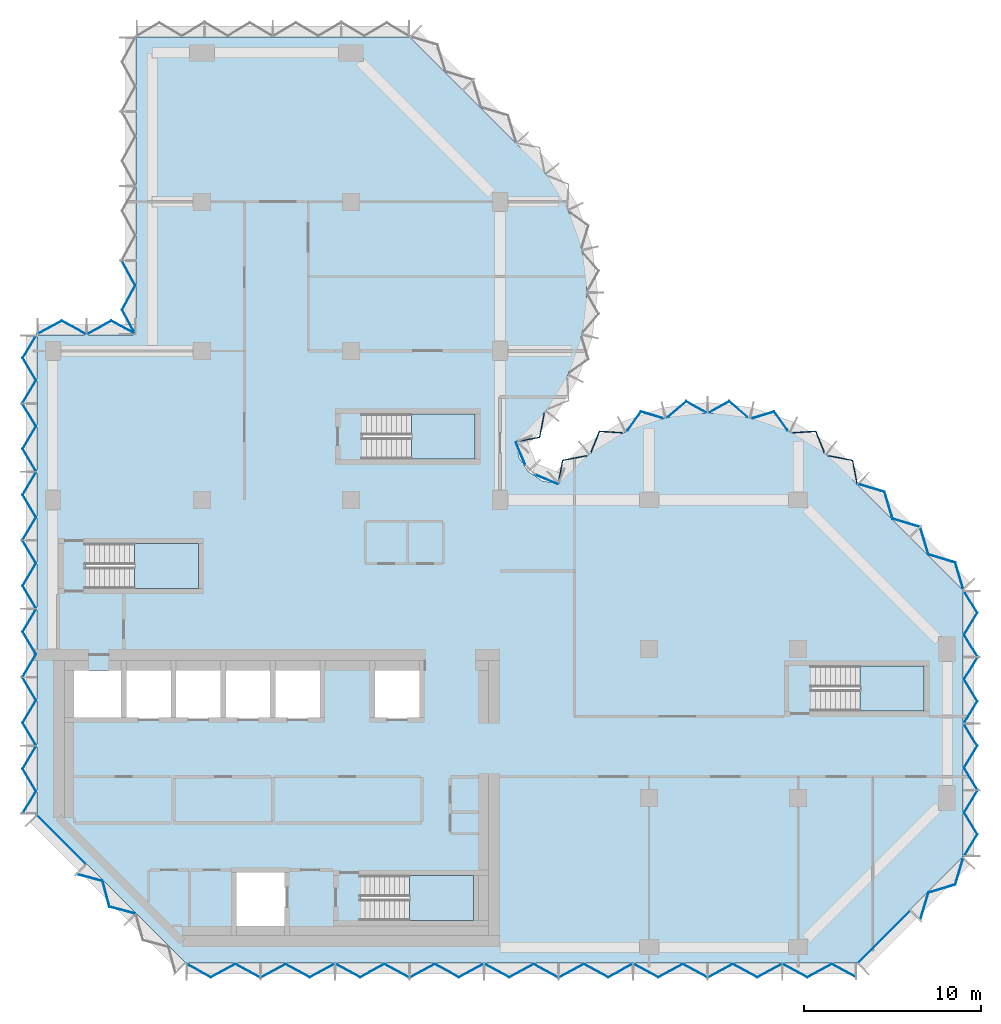
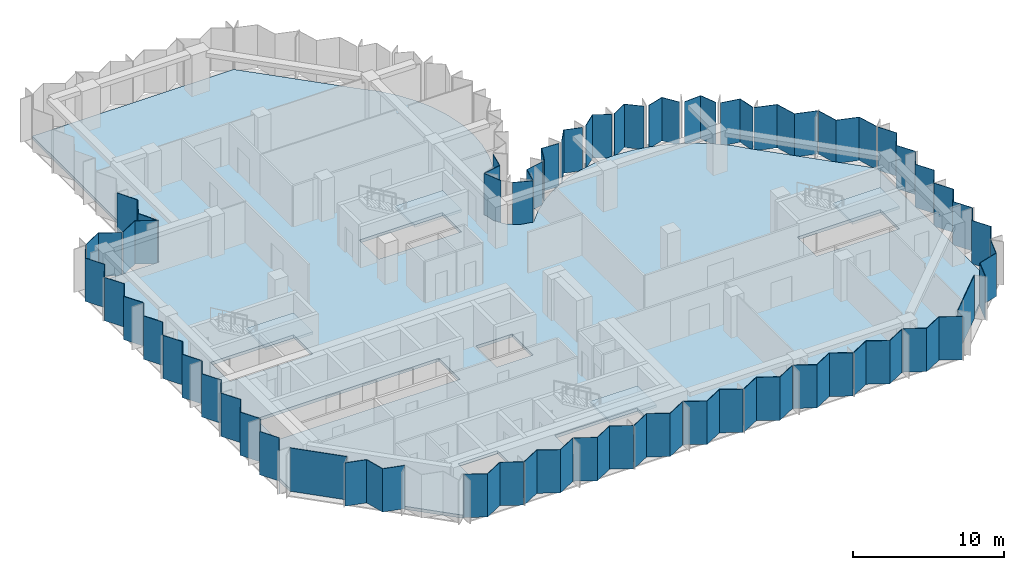
# One storey, part 3 of 9: 40 plates, 5 slabs, 15 elements without a shape of their own.
"""IFC4 building model written with IfcOpenShell, lengths in metres."""

from ifc_helpers import new_model, si_unit, direction, frame, origin, place, context, subcontext, project, spatial, polyline, outline, extrude, material, layer, layer_set, type_object, element, aggregate, save


model = new_model("IFC4")

# Units and contexts
model_context = context("Model", 3, precision=1e-05, world=origin(), true_north=direction((0.0, 1.0)))
body_context = subcontext(model_context, "Body", "Model", "MODEL_VIEW")
ifc_project = project(units=[si_unit("LENGTHUNIT", "METRE"), si_unit("AREAUNIT", "SQUARE_METRE"), si_unit("VOLUMEUNIT", "CUBIC_METRE"), si_unit("PLANEANGLEUNIT", "RADIAN"), si_unit("MASSUNIT", "GRAM", prefix="KILO")], contexts=[model_context])

# Site, building, storey
site_placement = place(None, origin())
site = spatial("IfcSite", under=ifc_project, at=site_placement, CompositionType="ELEMENT")
building_placement = place(site_placement, origin())
building = spatial("IfcBuilding", under=site, at=building_placement, Name="Brevane Broadcast Tower", CompositionType="ELEMENT")
storey_placement = place(building_placement, frame((0.0, 0.0, 188.39990234375)))
storey = spatial("IfcBuildingStorey", under=building, at=storey_placement, Name="L47", CompositionType="ELEMENT", Elevation=188.39990234375)

# Curtain wall, plates
ifc_material_1 = material(Name="Aluminium 6063-T6 bronze anodised", Category="aluminium")
curtain_wall_type = type_object("IfcCurtainWallType", Name="CW-1 curtain wall", PredefinedType="NOTDEFINED", material=ifc_material_1)
curtain_wall_1_placement = place(storey_placement, origin())
curtain_wall_1 = element("IfcCurtainWall", 1, at=curtain_wall_1_placement, inside=storey, type_object=curtain_wall_type, Name="CW-1 typical tilted unit L47 south face", PredefinedType="NOTDEFINED")
ifc_material_2 = material(Name="Laminated glass bronze-tinted", Category="glass")
ifc_layer_1 = layer(ifc_material_2, 0.0400390625)
ifc_layer_set_1 = layer_set([ifc_layer_1], Name="CW tall glass panel 40")
plate_type = type_object("IfcPlateType", Name="CW tall glass panel 40", PredefinedType="CURTAIN_PANEL", material=ifc_layer_set_1)
plate_1_placement = place(storey_placement, frame((0.0, 0.0, -0.14990234375)))
plate_1 = element("IfcPlate", 2, at=plate_1_placement, type_object=plate_type, Name="CW-1 glass panel", PredefinedType="CURTAIN_PANEL", context=body_context, shape_type="SweptSolid", body=[
    extrude(outline(polyline([(7.534912109375, -0.92724609375), (7.534912109375, -0.97265625), (8.91162109375, -1.717041015625), (10.288330078125, -0.97265625), (11.6650390625, -1.717041015625), (11.6650390625, -1.671630859375), (10.288330078125, -0.92724609375), (8.91162109375, -1.671630859375), (7.534912109375, -0.92724609375)])), origin(), (0.0, 0.0, 1.0), 3.5),
])
plate_2_placement = place(storey_placement, frame((0.0, 0.0, -0.14990234375)))
plate_2 = element("IfcPlate", 3, at=plate_2_placement, type_object=plate_type, Name="CW-1 glass panel", PredefinedType="CURTAIN_PANEL", context=body_context, shape_type="SweptSolid", body=[
    extrude(outline(polyline([(11.735107421875, -1.671630859375), (11.735107421875, -1.717041015625), (13.11181640625, -0.97265625), (14.48828125, -1.717041015625), (15.864990234375, -0.97265625), (15.864990234375, -0.92724609375), (14.48828125, -1.671630859375), (13.11181640625, -0.92724609375), (11.735107421875, -1.671630859375)])), origin(), (0.0, 0.0, 1.0), 3.5),
])
plate_3_placement = place(storey_placement, frame((0.0, 0.0, -0.14990234375)))
plate_3 = element("IfcPlate", 4, at=plate_3_placement, type_object=plate_type, Name="CW-1 glass panel", PredefinedType="CURTAIN_PANEL", context=body_context, shape_type="SweptSolid", body=[
    extrude(outline(polyline([(15.93505859375, -0.92724609375), (15.93505859375, -0.97265625), (17.311767578125, -1.717041015625), (18.688232421875, -0.97265625), (20.06494140625, -1.717041015625), (20.06494140625, -1.671630859375), (18.688232421875, -0.92724609375), (17.311767578125, -1.671630859375), (15.93505859375, -0.92724609375)])), origin(), (0.0, 0.0, 1.0), 3.5),
])
plate_4_placement = place(storey_placement, frame((0.0, 0.0, -0.14990234375)))
plate_4 = element("IfcPlate", 5, at=plate_4_placement, type_object=plate_type, Name="CW-1 glass panel", PredefinedType="CURTAIN_PANEL", context=body_context, shape_type="SweptSolid", body=[
    extrude(outline(polyline([(20.135009765625, -1.671630859375), (20.135009765625, -1.717041015625), (21.51171875, -0.97265625), (22.88818359375, -1.717041015625), (24.264892578125, -0.97265625), (24.264892578125, -0.92724609375), (22.88818359375, -1.671630859375), (21.51171875, -0.92724609375), (20.135009765625, -1.671630859375)])), origin(), (0.0, 0.0, 1.0), 3.5),
])
plate_5_placement = place(storey_placement, frame((0.0, 0.0, -0.14990234375)))
plate_5 = element("IfcPlate", 6, at=plate_5_placement, type_object=plate_type, Name="CW-1 glass panel", PredefinedType="CURTAIN_PANEL", context=body_context, shape_type="SweptSolid", body=[
    extrude(outline(polyline([(24.3349609375, -0.92724609375), (24.3349609375, -0.97265625), (25.711669921875, -1.717041015625), (27.08837890625, -0.97265625), (28.465087890625, -1.717041015625), (28.465087890625, -1.671630859375), (27.08837890625, -0.92724609375), (25.711669921875, -1.671630859375), (24.3349609375, -0.92724609375)])), origin(), (0.0, 0.0, 1.0), 3.5),
])
plate_6_placement = place(storey_placement, frame((0.0, 0.0, -0.14990234375)))
plate_6 = element("IfcPlate", 7, at=plate_6_placement, type_object=plate_type, Name="CW-1 glass panel", PredefinedType="CURTAIN_PANEL", context=body_context, shape_type="SweptSolid", body=[
    extrude(outline(polyline([(28.534912109375, -1.671630859375), (28.534912109375, -1.717041015625), (29.91162109375, -0.97265625), (31.288330078125, -1.717041015625), (32.6650390625, -0.97265625), (32.6650390625, -0.92724609375), (31.288330078125, -1.671630859375), (29.91162109375, -0.92724609375), (28.534912109375, -1.671630859375)])), origin(), (0.0, 0.0, 1.0), 3.5),
])
plate_7_placement = place(storey_placement, frame((0.0, 0.0, -0.14990234375)))
plate_7 = element("IfcPlate", 8, at=plate_7_placement, type_object=plate_type, Name="CW-1 glass panel", PredefinedType="CURTAIN_PANEL", context=body_context, shape_type="SweptSolid", body=[
    extrude(outline(polyline([(32.735107421875, -0.92724609375), (32.735107421875, -0.97265625), (34.11181640625, -1.717041015625), (35.48828125, -0.97265625), (36.864990234375, -1.717041015625), (36.864990234375, -1.671630859375), (35.48828125, -0.92724609375), (34.11181640625, -1.671630859375), (32.735107421875, -0.92724609375)])), origin(), (0.0, 0.0, 1.0), 3.5),
])
plate_8_placement = place(storey_placement, frame((0.0, 0.0, -0.14990234375)))
plate_8 = element("IfcPlate", 9, at=plate_8_placement, type_object=plate_type, Name="CW-1 glass panel", PredefinedType="CURTAIN_PANEL", context=body_context, shape_type="SweptSolid", body=[
    extrude(outline(polyline([(36.93505859375, -1.671630859375), (36.93505859375, -1.717041015625), (38.311767578125, -0.97265625), (39.688232421875, -1.717041015625), (41.06494140625, -0.97265625), (41.06494140625, -0.92724609375), (39.688232421875, -1.671630859375), (38.311767578125, -0.92724609375), (36.93505859375, -1.671630859375)])), origin(), (0.0, 0.0, 1.0), 3.5),
])
plate_9_placement = place(storey_placement, frame((0.0, 0.0, -0.14990234375)))
plate_9 = element("IfcPlate", 10, at=plate_9_placement, type_object=plate_type, Name="CW-1 glass panel", PredefinedType="CURTAIN_PANEL", context=body_context, shape_type="SweptSolid", body=[
    extrude(outline(polyline([(41.135009765625, -0.92724609375), (41.135009765625, -0.97265625), (42.51171875, -1.717041015625), (43.88818359375, -0.97265625), (45.264892578125, -1.717041015625), (45.264892578125, -1.671630859375), (43.88818359375, -0.92724609375), (42.51171875, -1.671630859375), (41.135009765625, -0.92724609375)])), origin(), (0.0, 0.0, 1.0), 3.5),
])
aggregate(curtain_wall_1, [plate_1, plate_2, plate_3, plate_4, plate_5, plate_6, plate_7, plate_8, plate_9])

curtain_wall_2_placement = place(storey_placement, origin())
curtain_wall_2 = element("IfcCurtainWall", 11, at=curtain_wall_2_placement, inside=storey, type_object=curtain_wall_type, Name="CW-1 typical tilted unit L47 south-east chamfer", PredefinedType="NOTDEFINED")
plate_10_placement = place(storey_placement, frame((0.0, 0.0, -0.14990234375)))
plate_10 = element("IfcPlate", 12, at=plate_10_placement, type_object=plate_type, Name="CW-1 glass panel", PredefinedType="CURTAIN_PANEL", context=body_context, shape_type="SweptSolid", body=[
    extrude(outline(polyline([(45.345947265625, -0.896484375), (48.29638671875, 2.053955078125), (48.32470703125, 2.02587890625), (45.374267578125, -0.9248046875), (45.345947265625, -0.896484375)])), origin(), (0.0, 0.0, 1.0), 3.5),
])
plate_11_placement = place(storey_placement, frame((0.0, 0.0, -0.14990234375)))
plate_11 = element("IfcPlate", 13, at=plate_11_placement, type_object=plate_type, Name="CW-1 glass panel", PredefinedType="CURTAIN_PANEL", context=body_context, shape_type="SweptSolid", body=[
    extrude(outline(polyline([(48.870361328125, 1.5791015625), (48.902587890625, 1.547119140625), (49.359619140625, 3.056884765625), (50.869384765625, 3.513916015625), (51.32666015625, 5.02392578125), (51.294677734375, 5.055908203125), (50.83740234375, 3.546142578125), (49.32763671875, 3.0888671875), (48.870361328125, 1.5791015625)])), origin(), (0.0, 0.0, 1.0), 3.5),
])
aggregate(curtain_wall_2, [plate_10, plate_11])

curtain_wall_3_placement = place(storey_placement, origin())
curtain_wall_3 = element("IfcCurtainWall", 14, at=curtain_wall_3_placement, inside=storey, type_object=curtain_wall_type, Name="CW-1 typical tilted unit L47 east end", PredefinedType="NOTDEFINED")
plate_12_placement = place(storey_placement, frame((0.0, 0.0, -0.14990234375)))
plate_12 = element("IfcPlate", 15, at=plate_12_placement, type_object=plate_type, Name="CW-1 glass panel", PredefinedType="CURTAIN_PANEL", context=body_context, shape_type="SweptSolid", body=[
    extrude(outline(polyline([(51.32666015625, 5.135009765625), (51.373291015625, 5.135009765625), (52.117919921875, 6.36181640625), (51.373291015625, 7.58837890625), (52.117919921875, 8.81494140625), (52.071044921875, 8.81494140625), (51.32666015625, 7.58837890625), (52.071044921875, 6.36181640625), (51.32666015625, 5.135009765625)])), origin(), (0.0, 0.0, 1.0), 3.5),
])
plate_13_placement = place(storey_placement, frame((0.0, 0.0, -0.14990234375)))
plate_13 = element("IfcPlate", 16, at=plate_13_placement, type_object=plate_type, Name="CW-1 glass panel", PredefinedType="CURTAIN_PANEL", context=body_context, shape_type="SweptSolid", body=[
    extrude(outline(polyline([(52.071044921875, 8.885009765625), (52.117919921875, 8.885009765625), (51.373291015625, 10.11181640625), (52.117919921875, 11.33837890625), (51.373291015625, 12.56494140625), (51.32666015625, 12.56494140625), (52.071044921875, 11.33837890625), (51.32666015625, 10.11181640625), (52.071044921875, 8.885009765625)])), origin(), (0.0, 0.0, 1.0), 3.5),
])
plate_14_placement = place(storey_placement, frame((0.0, 0.0, -0.14990234375)))
plate_14 = element("IfcPlate", 17, at=plate_14_placement, type_object=plate_type, Name="CW-1 glass panel", PredefinedType="CURTAIN_PANEL", context=body_context, shape_type="SweptSolid", body=[
    extrude(outline(polyline([(51.32666015625, 12.635009765625), (51.373291015625, 12.635009765625), (52.117919921875, 13.86181640625), (51.373291015625, 15.08837890625), (52.117919921875, 16.31494140625), (52.071044921875, 16.31494140625), (51.32666015625, 15.08837890625), (52.071044921875, 13.86181640625), (51.32666015625, 12.635009765625)])), origin(), (0.0, 0.0, 1.0), 3.5),
])
plate_15_placement = place(storey_placement, frame((0.0, 0.0, -0.14990234375)))
plate_15 = element("IfcPlate", 18, at=plate_15_placement, type_object=plate_type, Name="CW-1 glass panel", PredefinedType="CURTAIN_PANEL", context=body_context, shape_type="SweptSolid", body=[
    extrude(outline(polyline([(52.071044921875, 16.385009765625), (52.117919921875, 16.385009765625), (51.373291015625, 17.61181640625), (52.117919921875, 18.83837890625), (51.373291015625, 20.06494140625), (51.32666015625, 20.06494140625), (52.071044921875, 18.83837890625), (51.32666015625, 17.61181640625), (52.071044921875, 16.385009765625)])), origin(), (0.0, 0.0, 1.0), 3.5),
])
aggregate(curtain_wall_3, [plate_12, plate_13, plate_14, plate_15])

curtain_wall_4_placement = place(storey_placement, origin())
curtain_wall_4 = element("IfcCurtainWall", 19, at=curtain_wall_4_placement, inside=storey, type_object=curtain_wall_type, Name="CW-1 typical tilted unit L47 north-east chamfer", PredefinedType="NOTDEFINED")
plate_16_placement = place(storey_placement, frame((0.0, 0.0, -0.14990234375)))
plate_16 = element("IfcPlate", 20, at=plate_16_placement, type_object=plate_type, Name="CW-1 glass panel", PredefinedType="CURTAIN_PANEL", context=body_context, shape_type="SweptSolid", body=[
    extrude(outline(polyline([(51.294677734375, 20.14404296875), (51.32666015625, 20.176025390625), (50.869384765625, 21.68603515625), (49.359619140625, 22.14306640625), (48.902587890625, 23.653076171875), (48.870361328125, 23.620849609375), (49.32763671875, 22.111083984375), (50.83740234375, 21.65380859375), (51.294677734375, 20.14404296875)])), origin(), (0.0, 0.0, 1.0), 3.5),
])
plate_17_placement = place(storey_placement, frame((0.0, 0.0, -0.14990234375)))
plate_17 = element("IfcPlate", 21, at=plate_17_placement, type_object=plate_type, Name="CW-1 glass panel", PredefinedType="CURTAIN_PANEL", context=body_context, shape_type="SweptSolid", body=[
    extrude(outline(polyline([(48.82080078125, 23.67041015625), (48.85302734375, 23.702392578125), (47.343017578125, 24.15966796875), (46.885986328125, 25.66943359375), (45.376220703125, 26.126708984375), (45.343994140625, 26.094482421875), (46.85400390625, 25.637451171875), (47.31103515625, 24.127685546875), (48.82080078125, 23.67041015625)])), origin(), (0.0, 0.0, 1.0), 3.5),
])
aggregate(curtain_wall_4, [plate_16, plate_17])

curtain_wall_5_placement = place(storey_placement, origin())
curtain_wall_5 = element("IfcCurtainWall", 22, at=curtain_wall_5_placement, inside=storey, type_object=curtain_wall_type, Name="CW-1 typical tilted unit L47 east bow", PredefinedType="NOTDEFINED")
plate_18_placement = place(storey_placement, frame((0.0, 0.0, -0.14990234375)))
plate_18 = element("IfcPlate", 23, at=plate_18_placement, type_object=plate_type, Name="CW-1 glass panel", PredefinedType="CURTAIN_PANEL", context=body_context, shape_type="SweptSolid", body=[
    extrude(outline(polyline([(45.2939453125, 26.14404296875), (45.327880859375, 26.17919921875), (45.086181640625, 27.447265625), (43.738525390625, 27.71142578125), (43.7109375, 27.67626953125), (45.052001953125, 27.4130859375), (45.2939453125, 26.14404296875)])), origin(), (0.0, 0.0, 1.0), 3.5),
])
plate_19_placement = place(storey_placement, frame((0.0, 0.0, -0.14990234375)))
plate_19 = element("IfcPlate", 24, at=plate_19_placement, type_object=plate_type, Name="CW-1 glass panel", PredefinedType="CURTAIN_PANEL", context=body_context, shape_type="SweptSolid", body=[
    extrude(outline(polyline([(43.45703125, 27.8759765625), (43.4853515625, 27.912109375), (43.00390625, 29.089111328125), (41.710693359375, 29.006591796875), (41.69091796875, 28.96533203125), (42.977783203125, 29.04736328125), (43.45703125, 27.8759765625)])), origin(), (0.0, 0.0, 1.0), 3.5),
])
plate_20_placement = place(storey_placement, frame((0.0, 0.0, -0.14990234375)))
plate_20 = element("IfcPlate", 25, at=plate_20_placement, type_object=plate_type, Name="CW-1 glass panel", PredefinedType="CURTAIN_PANEL", context=body_context, shape_type="SweptSolid", body=[
    extrude(outline(polyline([(41.3994140625, 29.104248046875), (41.4189453125, 29.1455078125), (40.667724609375, 30.20166015625), (39.45068359375, 29.83349609375), (39.440185546875, 29.78857421875), (40.65185546875, 30.155029296875), (41.3994140625, 29.104248046875)])), origin(), (0.0, 0.0, 1.0), 3.5),
])
plate_21_placement = place(storey_placement, frame((0.0, 0.0, -0.14990234375)))
plate_21 = element("IfcPlate", 26, at=plate_21_placement, type_object=plate_type, Name="CW-1 glass panel", PredefinedType="CURTAIN_PANEL", context=body_context, shape_type="SweptSolid", body=[
    extrude(outline(polyline([(39.125, 29.859619140625), (39.13525390625, 29.903564453125), (38.116943359375, 30.779296875), (37.008056640625, 30.15869140625), (37.008056640625, 30.11279296875), (38.112060546875, 30.730712890625), (39.125, 29.859619140625)])), origin(), (0.0, 0.0, 1.0), 3.5),
])
plate_22_placement = place(storey_placement, frame((0.0, 0.0, -0.14990234375)))
plate_22 = element("IfcPlate", 27, at=plate_22_placement, type_object=plate_type, Name="CW-1 glass panel", PredefinedType="CURTAIN_PANEL", context=body_context, shape_type="SweptSolid", body=[
    extrude(outline(polyline([(36.7919921875, 30.11279296875), (36.7919921875, 30.15869140625), (35.68310546875, 30.779296875), (34.664794921875, 29.903564453125), (34.6748046875, 29.859619140625), (35.68798828125, 30.730712890625), (36.7919921875, 30.11279296875)])), origin(), (0.0, 0.0, 1.0), 3.5),
])
plate_23_placement = place(storey_placement, frame((0.0, 0.0, -0.14990234375)))
plate_23 = element("IfcPlate", 28, at=plate_23_placement, type_object=plate_type, Name="CW-1 glass panel", PredefinedType="CURTAIN_PANEL", context=body_context, shape_type="SweptSolid", body=[
    extrude(outline(polyline([(34.359619140625, 29.78857421875), (34.349365234375, 29.83349609375), (33.132080078125, 30.20166015625), (32.381103515625, 29.1455078125), (32.400634765625, 29.104248046875), (33.148193359375, 30.155029296875), (34.359619140625, 29.78857421875)])), origin(), (0.0, 0.0, 1.0), 3.5),
])
plate_24_placement = place(storey_placement, frame((0.0, 0.0, -0.14990234375)))
plate_24 = element("IfcPlate", 29, at=plate_24_placement, type_object=plate_type, Name="CW-1 glass panel", PredefinedType="CURTAIN_PANEL", context=body_context, shape_type="SweptSolid", body=[
    extrude(outline(polyline([(32.10888671875, 28.96533203125), (32.08935546875, 29.006591796875), (30.7958984375, 29.089111328125), (30.314697265625, 27.912109375), (30.343017578125, 27.8759765625), (30.822265625, 29.04736328125), (32.10888671875, 28.96533203125)])), origin(), (0.0, 0.0, 1.0), 3.5),
])
plate_25_placement = place(storey_placement, frame((0.0, 0.0, -0.14990234375)))
plate_25 = element("IfcPlate", 30, at=plate_25_placement, type_object=plate_type, Name="CW-1 glass panel", PredefinedType="CURTAIN_PANEL", context=body_context, shape_type="SweptSolid", body=[
    extrude(outline(polyline([(30.089111328125, 27.67626953125), (30.0615234375, 27.71142578125), (28.7138671875, 27.447265625), (28.471923828125, 26.17919921875), (28.506103515625, 26.14404296875), (28.748046875, 27.4130859375), (30.089111328125, 27.67626953125)])), origin(), (0.0, 0.0, 1.0), 3.5),
])
aggregate(curtain_wall_5, [plate_18, plate_19, plate_20, plate_21, plate_22, plate_23, plate_24, plate_25])

curtain_wall_6_placement = place(storey_placement, origin())
curtain_wall_6 = element("IfcCurtainWall", 31, at=curtain_wall_6_placement, inside=storey, type_object=curtain_wall_type, Name="CW-1 typical tilted unit L47 inner corner", PredefinedType="NOTDEFINED")
plate_26_placement = place(storey_placement, frame((0.0, 0.0, -0.14990234375)))
plate_26 = element("IfcPlate", 32, at=plate_26_placement, type_object=plate_type, Name="CW-1 glass panel", PredefinedType="CURTAIN_PANEL", context=body_context, shape_type="SweptSolid", body=[
    extrude(outline(polyline([(28.45166015625, 26.07470703125), (28.466796875, 26.111572265625), (27.2021484375, 26.635498046875), (27.17138671875, 26.60498046875), (28.45166015625, 26.07470703125)])), origin(), (0.0, 0.0, 1.0), 3.5),
])
plate_27_placement = place(storey_placement, frame((0.0, 0.0, -0.14990234375)))
plate_27 = element("IfcPlate", 33, at=plate_27_placement, type_object=plate_type, Name="CW-1 glass panel", PredefinedType="CURTAIN_PANEL", context=body_context, shape_type="SweptSolid", body=[
    extrude(outline(polyline([(26.60498046875, 27.17138671875), (26.635498046875, 27.2021484375), (26.111572265625, 28.466796875), (26.07470703125, 28.45166015625), (26.60498046875, 27.17138671875)])), origin(), (0.0, 0.0, 1.0), 3.5),
])
aggregate(curtain_wall_6, [plate_26, plate_27])

# Curtain wall, plate
curtain_wall_7_placement = place(storey_placement, origin())
curtain_wall_7 = element("IfcCurtainWall", 34, at=curtain_wall_7_placement, inside=storey, type_object=curtain_wall_type, Name="CW-1 typical tilted unit L47 north bow", PredefinedType="NOTDEFINED")
plate_28_placement = place(storey_placement, frame((0.0, 0.0, -0.14990234375)))
plate_28 = element("IfcPlate", 35, at=plate_28_placement, type_object=plate_type, Name="CW-1 glass panel", PredefinedType="CURTAIN_PANEL", context=body_context, shape_type="SweptSolid", body=[
    extrude(outline(polyline([(26.14404296875, 28.506103515625), (26.17919921875, 28.471923828125), (27.447265625, 28.7138671875), (27.71142578125, 30.0615234375), (27.67626953125, 30.089111328125), (27.4130859375, 28.748046875), (26.14404296875, 28.506103515625)])), origin(), (0.0, 0.0, 1.0), 3.5),
])
aggregate(curtain_wall_7, [plate_28])

curtain_wall_8_placement = place(storey_placement, origin())
curtain_wall_8 = element("IfcCurtainWall", 36, at=curtain_wall_8_placement, inside=storey, type_object=curtain_wall_type, Name="CW-1 typical tilted unit L47 north wing west face, lower block", PredefinedType="NOTDEFINED")
plate_29_placement = place(storey_placement, frame((0.0, 0.0, -0.14990234375)))
plate_29 = element("IfcPlate", 37, at=plate_29_placement, type_object=plate_type, Name="CW-1 glass panel", PredefinedType="CURTAIN_PANEL", context=body_context, shape_type="SweptSolid", body=[
    extrude(outline(polyline([(3.92822265625, 38.6650390625), (3.8828125, 38.6650390625), (4.627197265625, 37.288330078125), (3.8828125, 35.91162109375), (4.627197265625, 34.534912109375), (4.672607421875, 34.534912109375), (3.92822265625, 35.91162109375), (4.672607421875, 37.288330078125), (3.92822265625, 38.6650390625)])), origin(), (0.0, 0.0, 1.0), 3.5),
])
aggregate(curtain_wall_8, [plate_29])

# Curtain wall, plates
curtain_wall_9_placement = place(storey_placement, origin())
curtain_wall_9 = element("IfcCurtainWall", 38, at=curtain_wall_9_placement, inside=storey, type_object=curtain_wall_type, Name="CW-1 typical tilted unit L47 north wing west return, lower block", PredefinedType="NOTDEFINED")
plate_30_placement = place(storey_placement, frame((0.0, 0.0, -0.14990234375)))
plate_30 = element("IfcPlate", 39, at=plate_30_placement, type_object=plate_type, Name="CW-1 glass panel", PredefinedType="CURTAIN_PANEL", context=body_context, shape_type="SweptSolid", body=[
    extrude(outline(polyline([(4.6650390625, 34.527099609375), (4.6650390625, 34.57275390625), (3.300048828125, 35.317138671875), (1.93505859375, 34.57275390625), (1.93505859375, 34.527099609375), (3.300048828125, 35.271484375), (4.6650390625, 34.527099609375)])), origin(), (0.0, 0.0, 1.0), 3.5),
])
plate_31_placement = place(storey_placement, frame((0.0, 0.0, -0.14990234375)))
plate_31 = element("IfcPlate", 40, at=plate_31_placement, type_object=plate_type, Name="CW-1 glass panel", PredefinedType="CURTAIN_PANEL", context=body_context, shape_type="SweptSolid", body=[
    extrude(outline(polyline([(1.864990234375, 34.527099609375), (1.864990234375, 34.57275390625), (0.5, 35.317138671875), (-0.864990234375, 34.57275390625), (-0.864990234375, 34.527099609375), (0.5, 35.271484375), (1.864990234375, 34.527099609375)])), origin(), (0.0, 0.0, 1.0), 3.5),
])
aggregate(curtain_wall_9, [plate_30, plate_31])

curtain_wall_10_placement = place(storey_placement, origin())
curtain_wall_10 = element("IfcCurtainWall", 41, at=curtain_wall_10_placement, inside=storey, type_object=curtain_wall_type, Name="CW-1 typical tilted unit L47 west face", PredefinedType="NOTDEFINED")
plate_32_placement = place(storey_placement, frame((0.0, 0.0, -0.14990234375)))
plate_32 = element("IfcPlate", 42, at=plate_32_placement, type_object=plate_type, Name="CW-1 glass panel", PredefinedType="CURTAIN_PANEL", context=body_context, shape_type="SweptSolid", body=[
    extrude(outline(polyline([(-0.9267578125, 34.465087890625), (-0.97314453125, 34.465087890625), (-1.717529296875, 33.20263671875), (-0.97314453125, 31.940185546875), (-1.717529296875, 30.677978515625), (-1.671142578125, 30.677978515625), (-0.9267578125, 31.940185546875), (-1.671142578125, 33.20263671875), (-0.9267578125, 34.465087890625)])), origin(), (0.0, 0.0, 1.0), 3.5),
])
plate_33_placement = place(storey_placement, frame((0.0, 0.0, -0.14990234375)))
plate_33 = element("IfcPlate", 43, at=plate_33_placement, type_object=plate_type, Name="CW-1 glass panel", PredefinedType="CURTAIN_PANEL", context=body_context, shape_type="SweptSolid", body=[
    extrude(outline(polyline([(-1.671142578125, 30.60791015625), (-1.717529296875, 30.60791015625), (-0.97314453125, 29.345458984375), (-1.717529296875, 28.0830078125), (-0.97314453125, 26.82080078125), (-0.9267578125, 26.82080078125), (-1.671142578125, 28.0830078125), (-0.9267578125, 29.345458984375), (-1.671142578125, 30.60791015625)])), origin(), (0.0, 0.0, 1.0), 3.5),
])
plate_34_placement = place(storey_placement, frame((0.0, 0.0, -0.14990234375)))
plate_34 = element("IfcPlate", 44, at=plate_34_placement, type_object=plate_type, Name="CW-1 glass panel", PredefinedType="CURTAIN_PANEL", context=body_context, shape_type="SweptSolid", body=[
    extrude(outline(polyline([(-0.9267578125, 26.750732421875), (-0.97314453125, 26.750732421875), (-1.717529296875, 25.48828125), (-0.97314453125, 24.22607421875), (-1.717529296875, 22.963623046875), (-1.671142578125, 22.963623046875), (-0.9267578125, 24.22607421875), (-1.671142578125, 25.48828125), (-0.9267578125, 26.750732421875)])), origin(), (0.0, 0.0, 1.0), 3.5),
])
plate_35_placement = place(storey_placement, frame((0.0, 0.0, -0.14990234375)))
plate_35 = element("IfcPlate", 45, at=plate_35_placement, type_object=plate_type, Name="CW-1 glass panel", PredefinedType="CURTAIN_PANEL", context=body_context, shape_type="SweptSolid", body=[
    extrude(outline(polyline([(-1.671142578125, 22.8935546875), (-1.717529296875, 22.8935546875), (-0.97314453125, 21.631103515625), (-1.717529296875, 20.368896484375), (-0.97314453125, 19.1064453125), (-0.9267578125, 19.1064453125), (-1.671142578125, 20.368896484375), (-0.9267578125, 21.631103515625), (-1.671142578125, 22.8935546875)])), origin(), (0.0, 0.0, 1.0), 3.5),
])
plate_36_placement = place(storey_placement, frame((0.0, 0.0, -0.14990234375)))
plate_36 = element("IfcPlate", 46, at=plate_36_placement, type_object=plate_type, Name="CW-1 glass panel", PredefinedType="CURTAIN_PANEL", context=body_context, shape_type="SweptSolid", body=[
    extrude(outline(polyline([(-0.9267578125, 19.036376953125), (-0.97314453125, 19.036376953125), (-1.717529296875, 17.77392578125), (-0.97314453125, 16.51171875), (-1.717529296875, 15.249267578125), (-1.671142578125, 15.249267578125), (-0.9267578125, 16.51171875), (-1.671142578125, 17.77392578125), (-0.9267578125, 19.036376953125)])), origin(), (0.0, 0.0, 1.0), 3.5),
])
plate_37_placement = place(storey_placement, frame((0.0, 0.0, -0.14990234375)))
plate_37 = element("IfcPlate", 47, at=plate_37_placement, type_object=plate_type, Name="CW-1 glass panel", PredefinedType="CURTAIN_PANEL", context=body_context, shape_type="SweptSolid", body=[
    extrude(outline(polyline([(-1.671142578125, 15.17919921875), (-1.717529296875, 15.17919921875), (-0.97314453125, 13.9169921875), (-1.717529296875, 12.654541015625), (-0.97314453125, 11.39208984375), (-0.9267578125, 11.39208984375), (-1.671142578125, 12.654541015625), (-0.9267578125, 13.9169921875), (-1.671142578125, 15.17919921875)])), origin(), (0.0, 0.0, 1.0), 3.5),
])
plate_38_placement = place(storey_placement, frame((0.0, 0.0, -0.14990234375)))
plate_38 = element("IfcPlate", 48, at=plate_38_placement, type_object=plate_type, Name="CW-1 glass panel", PredefinedType="CURTAIN_PANEL", context=body_context, shape_type="SweptSolid", body=[
    extrude(outline(polyline([(-0.9267578125, 11.322021484375), (-0.97314453125, 11.322021484375), (-1.717529296875, 10.059814453125), (-0.97314453125, 8.79736328125), (-1.717529296875, 7.534912109375), (-1.671142578125, 7.534912109375), (-0.9267578125, 8.79736328125), (-1.671142578125, 10.059814453125), (-0.9267578125, 11.322021484375)])), origin(), (0.0, 0.0, 1.0), 3.5),
])
aggregate(curtain_wall_10, [plate_32, plate_33, plate_34, plate_35, plate_36, plate_37, plate_38])

curtain_wall_11_placement = place(storey_placement, origin())
curtain_wall_11 = element("IfcCurtainWall", 49, at=curtain_wall_11_placement, inside=storey, type_object=curtain_wall_type, Name="CW-1 typical tilted unit L47 south-west chamfer", PredefinedType="NOTDEFINED")
plate_39_placement = place(storey_placement, frame((0.0, 0.0, -0.14990234375)))
plate_39 = element("IfcPlate", 50, at=plate_39_placement, type_object=plate_type, Name="CW-1 glass panel", PredefinedType="CURTAIN_PANEL", context=body_context, shape_type="SweptSolid", body=[
    extrude(outline(polyline([(-0.896484375, 7.4541015625), (1.85400390625, 4.70361328125), (1.82568359375, 4.67529296875), (-0.9248046875, 7.42578125), (-0.896484375, 7.4541015625)])), origin(), (0.0, 0.0, 1.0), 3.5),
])
plate_40_placement = place(storey_placement, frame((0.0, 0.0, -0.14990234375)))
plate_40 = element("IfcPlate", 51, at=plate_40_placement, type_object=plate_type, Name="CW-1 glass panel", PredefinedType="CURTAIN_PANEL", context=body_context, shape_type="SweptSolid", body=[
    extrude(outline(polyline([(1.37939453125, 4.1298828125), (1.3466796875, 4.09716796875), (2.789794921875, 3.706787109375), (3.180419921875, 2.263671875), (4.62353515625, 1.873046875), (4.65625, 1.90576171875), (3.212890625, 2.296142578125), (2.822509765625, 3.739501953125), (1.37939453125, 4.1298828125)])), origin(), (0.0, 0.0, 1.0), 3.5),
])
aggregate(curtain_wall_11, [plate_39, plate_40])

# Stair, slab
ifc_material_3 = material(Name="Concrete C50/60", Category="concrete")
stair_type = type_object("IfcStairType", Name="Exit stair 22 risers", PredefinedType="HALF_TURN_STAIR", material=ifc_material_3)
stair_1_placement = place(storey_placement, origin())
stair_1 = element("IfcStair", 52, at=stair_1_placement, inside=storey, type_object=stair_type, Name="L47 Exit stair ST-1", PredefinedType="HALF_TURN_STAIR")
ifc_layer_2 = layer(ifc_material_3, 0.199951171875)
ifc_layer_set_2 = layer_set([ifc_layer_2], Name="Exit stair landing")
slab_type_1 = type_object("IfcSlabType", Name="Exit stair landing", PredefinedType="LANDING", material=ifc_layer_set_2)
slab_1_placement = place(storey_placement, frame((0.0, 0.0, 1.60009765625)))
slab_1 = element("IfcSlab", 53, at=slab_1_placement, type_object=slab_type_1, Name="ST-1 landing 1", PredefinedType="LANDING", context=body_context, shape_type="SweptSolid", body=[
    extrude(outline(polyline([(4.60009765625, 20.199951171875), (8.199951171875, 20.199951171875), (8.199951171875, 22.75), (4.60009765625, 22.75), (4.60009765625, 20.199951171875)])), origin(), (0.0, 0.0, 1.0), 0.199951171875),
])
aggregate(stair_1, [slab_1])

stair_2_placement = place(storey_placement, origin())
stair_2 = element("IfcStair", 54, at=stair_2_placement, inside=storey, type_object=stair_type, Name="L47 Exit stair ST-2", PredefinedType="HALF_TURN_STAIR")
slab_2_placement = place(storey_placement, frame((0.0, 0.0, 1.60009765625)))
slab_2 = element("IfcSlab", 55, at=slab_2_placement, type_object=slab_type_1, Name="ST-2 landing 1", PredefinedType="LANDING", context=body_context, shape_type="SweptSolid", body=[
    extrude(outline(polyline([(20.10009765625, 1.5), (23.699951171875, 1.5), (23.699951171875, 4.050048828125), (20.10009765625, 4.050048828125), (20.10009765625, 1.5)])), origin(), (0.0, 0.0, 1.0), 0.199951171875),
])
aggregate(stair_2, [slab_2])

stair_3_placement = place(storey_placement, origin())
stair_3 = element("IfcStair", 56, at=stair_3_placement, inside=storey, type_object=stair_type, Name="L47 Exit stair ST-3", PredefinedType="HALF_TURN_STAIR")
slab_3_placement = place(storey_placement, frame((0.0, 0.0, 1.60009765625)))
slab_3 = element("IfcSlab", 57, at=slab_3_placement, type_object=slab_type_1, Name="ST-3 landing 1", PredefinedType="LANDING", context=body_context, shape_type="SweptSolid", body=[
    extrude(outline(polyline([(20.199951171875, 27.5), (23.800048828125, 27.5), (23.800048828125, 30.050048828125), (20.199951171875, 30.050048828125), (20.199951171875, 27.5)])), origin(), (0.0, 0.0, 1.0), 0.199951171875),
])
aggregate(stair_3, [slab_3])

stair_4_placement = place(storey_placement, origin())
stair_4 = element("IfcStair", 58, at=stair_4_placement, inside=storey, type_object=stair_type, Name="L47 Exit stair ST-4", PredefinedType="HALF_TURN_STAIR")
slab_4_placement = place(storey_placement, frame((0.0, 0.0, 1.60009765625)))
slab_4 = element("IfcSlab", 59, at=slab_4_placement, type_object=slab_type_1, Name="ST-4 landing 1", PredefinedType="LANDING", context=body_context, shape_type="SweptSolid", body=[
    extrude(outline(polyline([(45.5, 13.300048828125), (49.10009765625, 13.300048828125), (49.10009765625, 15.85009765625), (45.5, 15.85009765625), (45.5, 13.300048828125)])), origin(), (0.0, 0.0, 1.0), 0.199951171875),
])
aggregate(stair_4, [slab_4])

# Slab
ifc_material_4 = material(Name="Concrete C40/50", Category="concrete")
ifc_layer_3 = layer(ifc_material_4, 0.25)
ifc_layer_set_3 = layer_set([ifc_layer_3], Name="RC FLOOR SLAB 250 C40/50")
slab_type_2 = type_object("IfcSlabType", Name="RC FLOOR SLAB 250 C40/50", PredefinedType="FLOOR", material=ifc_layer_set_3)
slab_5_placement = place(storey_placement, frame((0.0, 0.0, -0.25)))
element("IfcSlab", 60, at=slab_5_placement, inside=storey, type_object=slab_type_2, Name="SL250 L47", PredefinedType="FLOOR", context=body_context, shape_type="SweptSolid", body=[
    extrude(outline(polyline([(-0.89990234375, 7.5), (-0.89990234375, 34.5), (4.699951171875, 34.5), (4.699951171875, 51.300048828125), (20.10009765625, 51.300048828125), (26.10009765625, 45.300048828125), (27.10888671875, 44.36865234375), (27.99169921875, 43.317138671875), (28.734130859375, 42.162353515625), (29.324462890625, 40.922607421875), (29.7529296875, 39.618408203125), (30.012939453125, 38.270263671875), (30.10009765625, 36.89990234375), (30.012939453125, 35.52978515625), (29.7529296875, 34.181640625), (29.324462890625, 32.877197265625), (28.734130859375, 31.6376953125), (27.99169921875, 30.48291015625), (27.10888671875, 29.431396484375), (26.10009765625, 28.5), (26.28271484375, 27.58154296875), (26.802978515625, 26.802978515625), (27.58154296875, 26.28271484375), (28.5, 26.10009765625), (29.431396484375, 27.10888671875), (30.48291015625, 27.99169921875), (31.6376953125, 28.734130859375), (32.877197265625, 29.324462890625), (34.181640625, 29.7529296875), (35.52978515625, 30.012939453125), (36.89990234375, 30.10009765625), (38.270263671875, 30.012939453125), (39.618408203125, 29.7529296875), (40.922607421875, 29.324462890625), (42.162353515625, 28.734130859375), (43.317138671875, 27.99169921875), (44.36865234375, 27.10888671875), (45.300048828125, 26.10009765625), (51.300048828125, 20.10009765625), (51.300048828125, 5.10009765625), (45.300048828125, -0.89990234375), (7.5, -0.89990234375), (-0.89990234375, 7.5)]), holes=[polyline([(13.199951171875, 4.39990234375), (10.199951171875, 4.39990234375), (10.199951171875, 1.199951171875), (13.199951171875, 1.199951171875), (13.199951171875, 4.39990234375)]), polyline([(4.0, 15.60009765625), (1.199951171875, 15.60009765625), (1.199951171875, 12.800048828125), (4.0, 12.800048828125), (6.800048828125, 12.800048828125), (9.60009765625, 12.800048828125), (12.39990234375, 12.800048828125), (15.199951171875, 12.800048828125), (15.199951171875, 15.60009765625), (12.39990234375, 15.60009765625), (9.60009765625, 15.60009765625), (6.800048828125, 15.60009765625), (4.0, 15.60009765625)]), polyline([(1.860107421875, 22.75), (1.860107421875, 20.199951171875), (8.199951171875, 20.199951171875), (8.199951171875, 22.75), (1.860107421875, 22.75)]), polyline([(23.699951171875, 4.050048828125), (17.360107421875, 4.050048828125), (17.360107421875, 1.5), (23.699951171875, 1.5), (23.699951171875, 4.050048828125)]), polyline([(20.800048828125, 15.60009765625), (18.0, 15.60009765625), (18.0, 12.800048828125), (20.800048828125, 12.800048828125), (20.800048828125, 15.60009765625)]), polyline([(49.10009765625, 15.85009765625), (42.760009765625, 15.85009765625), (42.760009765625, 13.300048828125), (49.10009765625, 13.300048828125), (49.10009765625, 15.85009765625)]), polyline([(23.800048828125, 30.050048828125), (17.4599609375, 30.050048828125), (17.4599609375, 27.5), (23.800048828125, 27.5), (23.800048828125, 30.050048828125)])]), origin(), (0.0, 0.0, 1.0), 0.25),
])

save(model, "model.ifc")
